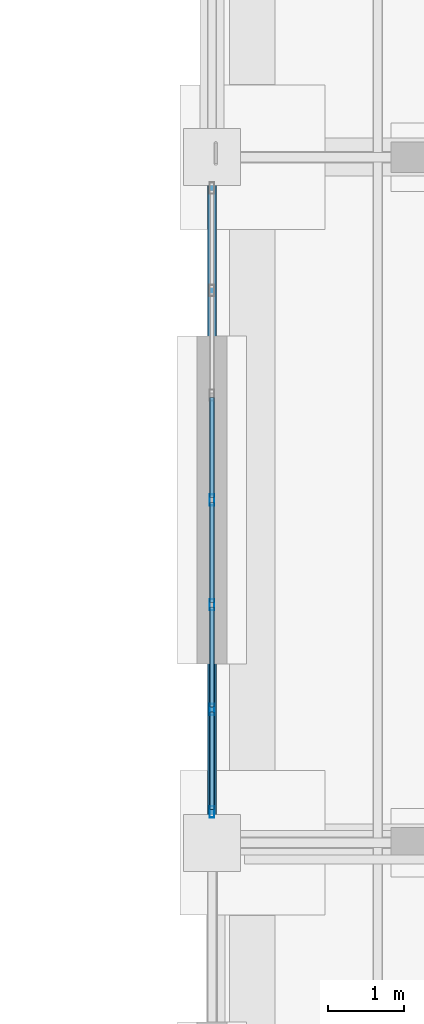
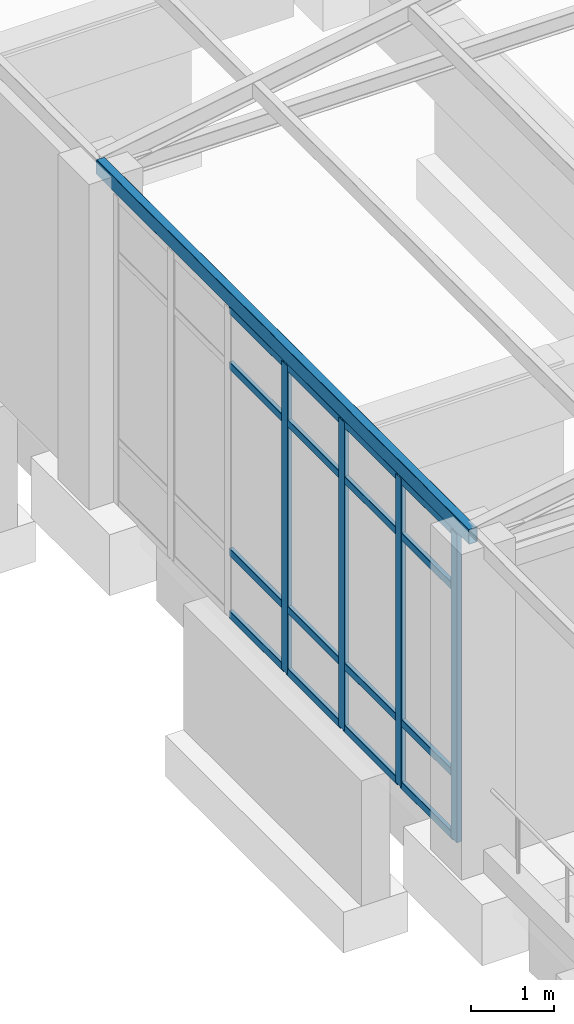
# One storey, part 62 of 111: 21 members, 1 element without a shape of its own.
"""IFC4 building model written with IfcOpenShell, lengths in metres."""

from ifc_helpers import new_model, si_unit, direction, frame, origin, origin_2d, place, context, subcontext, project, spatial, hollow_rectangle, extrude, material, material_profile, profile_set, type_object, element, aggregate, save


model = new_model("IFC4")

# Units and contexts
model_context = context("Model", 3, precision=1e-05, world=origin(), true_north=direction((0.0, 1.0)))
body_context = subcontext(model_context, "Body", "Model", "MODEL_VIEW")
ifc_project = project(units=[si_unit("LENGTHUNIT", "METRE"), si_unit("AREAUNIT", "SQUARE_METRE"), si_unit("VOLUMEUNIT", "CUBIC_METRE"), si_unit("PLANEANGLEUNIT", "RADIAN"), si_unit("MASSUNIT", "GRAM", prefix="KILO")], contexts=[model_context])

# Site, building, storey
site_placement = place(None, origin())
site = spatial("IfcSite", under=ifc_project, at=site_placement, CompositionType="ELEMENT")
building_placement = place(site_placement, origin())
building = spatial("IfcBuilding", under=site, at=building_placement, Name="Canglan Escarpment Cableway Terminal", CompositionType="ELEMENT")
storey_placement = place(building_placement, frame((0.0, 0.0, 4.800048828125)))
storey = spatial("IfcBuildingStorey", under=building, at=storey_placement, Name="L01", CompositionType="ELEMENT", Elevation=4.800048828125)

# Curtain wall, members
ifc_material_1 = material(Name="Anodized bronze aluminium and Low-E double glazing", Category="aluminium")
curtain_wall_type = type_object("IfcCurtainWallType", Name="CW-BAY-8250x4550", PredefinedType="NOTDEFINED", material=ifc_material_1)
curtain_wall_placement = place(storey_placement, origin())
curtain_wall = element("IfcCurtainWall", 1, at=curtain_wall_placement, inside=storey, type_object=curtain_wall_type, Name="Classical bay-between-piers glazed curtain wall CW-42", PredefinedType="NOTDEFINED")
ifc_material_2 = material(Name="Thermally broken anodized aluminium 6063-T6", Category="aluminium")
ifc_material_profile_1 = material_profile(ifc_material_2, hollow_rectangle(XDim=0.06494140625, YDim=0.14990234375, WallThickness=0.00341796875, InnerFilletRadius=0.00341796875, OuterFilletRadius=0.007080078125, at=origin_2d()), Name="ALU-MULL 65x150x3.5")
ifc_profile_set_1 = profile_set([ifc_material_profile_1], Name="Thermally broken anodized aluminium 6063-T6")
member_type_1 = type_object("IfcMemberType", Name="CWM-02", PredefinedType="MULLION", material=ifc_profile_set_1)
member_1_placement = place(storey_placement, frame((167.300048828125, 101.5, 0.0), z_axis=(0.0, 0.0, 1.0), x_axis=(1.0, 0.0, 0.0)))
member_1 = element("IfcMember", 2, at=member_1_placement, type_object=member_type_1, Name="CW-42 mullion 4", PredefinedType="MULLION", context=body_context, shape_type="SweptSolid", body=[
    extrude(hollow_rectangle(XDim=0.06494140625, YDim=0.14990234375, WallThickness=0.00341796875, InnerFilletRadius=0.00341796875, OuterFilletRadius=0.007080078125, at=origin_2d()), origin(), (0.0, 0.0, 1.0), 4.550048828125),
])
member_2_placement = place(storey_placement, frame((167.300048828125, 100.125, 0.0), z_axis=(0.0, 0.0, 1.0), x_axis=(1.0, 0.0, 0.0)))
member_2 = element("IfcMember", 3, at=member_2_placement, type_object=member_type_1, Name="CW-42 mullion 5", PredefinedType="MULLION", context=body_context, shape_type="SweptSolid", body=[
    extrude(hollow_rectangle(XDim=0.06494140625, YDim=0.14990234375, WallThickness=0.00341796875, InnerFilletRadius=0.00341796875, OuterFilletRadius=0.007080078125, at=origin_2d()), origin(), (0.0, 0.0, 1.0), 4.550048828125),
])
member_3_placement = place(storey_placement, frame((167.300048828125, 98.75, 0.0), z_axis=(0.0, 0.0, 1.0), x_axis=(1.0, 0.0, 0.0)))
member_3 = element("IfcMember", 4, at=member_3_placement, type_object=member_type_1, Name="CW-42 mullion 6", PredefinedType="MULLION", context=body_context, shape_type="SweptSolid", body=[
    extrude(hollow_rectangle(XDim=0.06494140625, YDim=0.14990234375, WallThickness=0.00341796875, InnerFilletRadius=0.00341796875, OuterFilletRadius=0.007080078125, at=origin_2d()), origin(), (0.0, 0.0, 1.0), 4.550048828125),
])
member_4_placement = place(storey_placement, frame((167.300048828125, 97.407470703125, 0.0), z_axis=(0.0, 0.0, 1.0), x_axis=(1.0, 0.0, 0.0)))
member_4 = element("IfcMember", 5, at=member_4_placement, type_object=member_type_1, Name="CW-42 mullion 7", PredefinedType="MULLION", context=body_context, shape_type="SweptSolid", body=[
    extrude(hollow_rectangle(XDim=0.06494140625, YDim=0.14990234375, WallThickness=0.00341796875, InnerFilletRadius=0.00341796875, OuterFilletRadius=0.007080078125, at=origin_2d()), origin(), (0.0, 0.0, 1.0), 4.550048828125),
])
ifc_material_profile_2 = material_profile(ifc_material_2, hollow_rectangle(XDim=0.06005859375, YDim=0.110107421875, WallThickness=0.0029296875, InnerFilletRadius=0.0029296875, OuterFilletRadius=0.006103515625, at=origin_2d()), Name="ALU-TRAN 60x110x3")
ifc_profile_set_2 = profile_set([ifc_material_profile_2], Name="Thermally broken anodized aluminium 6063-T6")
member_type_2 = type_object("IfcMemberType", Name="CWT-02", PredefinedType="USERDEFINED", material=ifc_profile_set_2)
member_5_placement = place(storey_placement, frame((167.300048828125, 102.842529296875, 0.030029296875), z_axis=(0.0, -1.0, 0.0), x_axis=(1.0, 0.0, 0.0)))
member_5 = element("IfcMember", 6, at=member_5_placement, type_object=member_type_2, Name="CW-42 transom 3.1", ObjectType="TRANSOM", PredefinedType="USERDEFINED", context=body_context, shape_type="SweptSolid", body=[
    extrude(hollow_rectangle(XDim=0.06005859375, YDim=0.110107421875, WallThickness=0.0029296875, InnerFilletRadius=0.0029296875, OuterFilletRadius=0.006103515625, at=origin_2d()), origin(), (0.0, 0.0, 1.0), 1.31005859375),
])
member_6_placement = place(storey_placement, frame((167.300048828125, 102.842529296875, 0.949951171875), z_axis=(0.0, -1.0, 0.0), x_axis=(1.0, 0.0, 0.0)))
member_6 = element("IfcMember", 7, at=member_6_placement, type_object=member_type_2, Name="CW-42 transom 3.2", ObjectType="TRANSOM", PredefinedType="USERDEFINED", context=body_context, shape_type="SweptSolid", body=[
    extrude(hollow_rectangle(XDim=0.06005859375, YDim=0.110107421875, WallThickness=0.0029296875, InnerFilletRadius=0.0029296875, OuterFilletRadius=0.006103515625, at=origin_2d()), origin(), (0.0, 0.0, 1.0), 1.31005859375),
])
member_7_placement = place(storey_placement, frame((167.300048828125, 102.842529296875, 3.699951171875), z_axis=(0.0, -1.0, 0.0), x_axis=(1.0, 0.0, 0.0)))
member_7 = element("IfcMember", 8, at=member_7_placement, type_object=member_type_2, Name="CW-42 transom 3.3", ObjectType="TRANSOM", PredefinedType="USERDEFINED", context=body_context, shape_type="SweptSolid", body=[
    extrude(hollow_rectangle(XDim=0.06005859375, YDim=0.110107421875, WallThickness=0.0029296875, InnerFilletRadius=0.0029296875, OuterFilletRadius=0.006103515625, at=origin_2d()), origin(), (0.0, 0.0, 1.0), 1.31005859375),
])
member_8_placement = place(storey_placement, frame((167.300048828125, 102.842529296875, 4.52001953125), z_axis=(0.0, -1.0, 0.0), x_axis=(1.0, 0.0, 0.0)))
member_8 = element("IfcMember", 9, at=member_8_placement, type_object=member_type_2, Name="CW-42 transom 3.4", ObjectType="TRANSOM", PredefinedType="USERDEFINED", context=body_context, shape_type="SweptSolid", body=[
    extrude(hollow_rectangle(XDim=0.06005859375, YDim=0.110107421875, WallThickness=0.0029296875, InnerFilletRadius=0.0029296875, OuterFilletRadius=0.006103515625, at=origin_2d()), origin(), (0.0, 0.0, 1.0), 1.31005859375),
])
member_9_placement = place(storey_placement, frame((167.300048828125, 101.467529296875, 0.030029296875), z_axis=(0.0, -1.0, 0.0), x_axis=(1.0, 0.0, 0.0)))
member_9 = element("IfcMember", 10, at=member_9_placement, type_object=member_type_2, Name="CW-42 transom 4.1", ObjectType="TRANSOM", PredefinedType="USERDEFINED", context=body_context, shape_type="SweptSolid", body=[
    extrude(hollow_rectangle(XDim=0.06005859375, YDim=0.110107421875, WallThickness=0.0029296875, InnerFilletRadius=0.0029296875, OuterFilletRadius=0.006103515625, at=origin_2d()), origin(), (0.0, 0.0, 1.0), 1.31005859375),
])
member_10_placement = place(storey_placement, frame((167.300048828125, 101.467529296875, 0.949951171875), z_axis=(0.0, -1.0, 0.0), x_axis=(1.0, 0.0, 0.0)))
member_10 = element("IfcMember", 11, at=member_10_placement, type_object=member_type_2, Name="CW-42 transom 4.2", ObjectType="TRANSOM", PredefinedType="USERDEFINED", context=body_context, shape_type="SweptSolid", body=[
    extrude(hollow_rectangle(XDim=0.06005859375, YDim=0.110107421875, WallThickness=0.0029296875, InnerFilletRadius=0.0029296875, OuterFilletRadius=0.006103515625, at=origin_2d()), origin(), (0.0, 0.0, 1.0), 1.31005859375),
])
member_11_placement = place(storey_placement, frame((167.300048828125, 101.467529296875, 3.699951171875), z_axis=(0.0, -1.0, 0.0), x_axis=(1.0, 0.0, 0.0)))
member_11 = element("IfcMember", 12, at=member_11_placement, type_object=member_type_2, Name="CW-42 transom 4.3", ObjectType="TRANSOM", PredefinedType="USERDEFINED", context=body_context, shape_type="SweptSolid", body=[
    extrude(hollow_rectangle(XDim=0.06005859375, YDim=0.110107421875, WallThickness=0.0029296875, InnerFilletRadius=0.0029296875, OuterFilletRadius=0.006103515625, at=origin_2d()), origin(), (0.0, 0.0, 1.0), 1.31005859375),
])
member_12_placement = place(storey_placement, frame((167.300048828125, 101.467529296875, 4.52001953125), z_axis=(0.0, -1.0, 0.0), x_axis=(1.0, 0.0, 0.0)))
member_12 = element("IfcMember", 13, at=member_12_placement, type_object=member_type_2, Name="CW-42 transom 4.4", ObjectType="TRANSOM", PredefinedType="USERDEFINED", context=body_context, shape_type="SweptSolid", body=[
    extrude(hollow_rectangle(XDim=0.06005859375, YDim=0.110107421875, WallThickness=0.0029296875, InnerFilletRadius=0.0029296875, OuterFilletRadius=0.006103515625, at=origin_2d()), origin(), (0.0, 0.0, 1.0), 1.31005859375),
])
member_13_placement = place(storey_placement, frame((167.300048828125, 100.092529296875, 0.030029296875), z_axis=(0.0, -1.0, 0.0), x_axis=(1.0, 0.0, 0.0)))
member_13 = element("IfcMember", 14, at=member_13_placement, type_object=member_type_2, Name="CW-42 transom 5.1", ObjectType="TRANSOM", PredefinedType="USERDEFINED", context=body_context, shape_type="SweptSolid", body=[
    extrude(hollow_rectangle(XDim=0.06005859375, YDim=0.110107421875, WallThickness=0.0029296875, InnerFilletRadius=0.0029296875, OuterFilletRadius=0.006103515625, at=origin_2d()), origin(), (0.0, 0.0, 1.0), 1.31005859375),
])
member_14_placement = place(storey_placement, frame((167.300048828125, 100.092529296875, 0.949951171875), z_axis=(0.0, -1.0, 0.0), x_axis=(1.0, 0.0, 0.0)))
member_14 = element("IfcMember", 15, at=member_14_placement, type_object=member_type_2, Name="CW-42 transom 5.2", ObjectType="TRANSOM", PredefinedType="USERDEFINED", context=body_context, shape_type="SweptSolid", body=[
    extrude(hollow_rectangle(XDim=0.06005859375, YDim=0.110107421875, WallThickness=0.0029296875, InnerFilletRadius=0.0029296875, OuterFilletRadius=0.006103515625, at=origin_2d()), origin(), (0.0, 0.0, 1.0), 1.31005859375),
])
member_15_placement = place(storey_placement, frame((167.300048828125, 100.092529296875, 3.699951171875), z_axis=(0.0, -1.0, 0.0), x_axis=(1.0, 0.0, 0.0)))
member_15 = element("IfcMember", 16, at=member_15_placement, type_object=member_type_2, Name="CW-42 transom 5.3", ObjectType="TRANSOM", PredefinedType="USERDEFINED", context=body_context, shape_type="SweptSolid", body=[
    extrude(hollow_rectangle(XDim=0.06005859375, YDim=0.110107421875, WallThickness=0.0029296875, InnerFilletRadius=0.0029296875, OuterFilletRadius=0.006103515625, at=origin_2d()), origin(), (0.0, 0.0, 1.0), 1.31005859375),
])
member_16_placement = place(storey_placement, frame((167.300048828125, 100.092529296875, 4.52001953125), z_axis=(0.0, -1.0, 0.0), x_axis=(1.0, 0.0, 0.0)))
member_16 = element("IfcMember", 17, at=member_16_placement, type_object=member_type_2, Name="CW-42 transom 5.4", ObjectType="TRANSOM", PredefinedType="USERDEFINED", context=body_context, shape_type="SweptSolid", body=[
    extrude(hollow_rectangle(XDim=0.06005859375, YDim=0.110107421875, WallThickness=0.0029296875, InnerFilletRadius=0.0029296875, OuterFilletRadius=0.006103515625, at=origin_2d()), origin(), (0.0, 0.0, 1.0), 1.31005859375),
])
member_17_placement = place(storey_placement, frame((167.300048828125, 98.717529296875, 0.030029296875), z_axis=(0.0, -1.0, 0.0), x_axis=(1.0, 0.0, 0.0)))
member_17 = element("IfcMember", 18, at=member_17_placement, type_object=member_type_2, Name="CW-42 transom 6.1", ObjectType="TRANSOM", PredefinedType="USERDEFINED", context=body_context, shape_type="SweptSolid", body=[
    extrude(hollow_rectangle(XDim=0.06005859375, YDim=0.110107421875, WallThickness=0.0029296875, InnerFilletRadius=0.0029296875, OuterFilletRadius=0.006103515625, at=origin_2d()), origin(), (0.0, 0.0, 1.0), 1.277587890625),
])
member_18_placement = place(storey_placement, frame((167.300048828125, 98.717529296875, 0.949951171875), z_axis=(0.0, -1.0, 0.0), x_axis=(1.0, 0.0, 0.0)))
member_18 = element("IfcMember", 19, at=member_18_placement, type_object=member_type_2, Name="CW-42 transom 6.2", ObjectType="TRANSOM", PredefinedType="USERDEFINED", context=body_context, shape_type="SweptSolid", body=[
    extrude(hollow_rectangle(XDim=0.06005859375, YDim=0.110107421875, WallThickness=0.0029296875, InnerFilletRadius=0.0029296875, OuterFilletRadius=0.006103515625, at=origin_2d()), origin(), (0.0, 0.0, 1.0), 1.277587890625),
])
member_19_placement = place(storey_placement, frame((167.300048828125, 98.717529296875, 3.699951171875), z_axis=(0.0, -1.0, 0.0), x_axis=(1.0, 0.0, 0.0)))
member_19 = element("IfcMember", 20, at=member_19_placement, type_object=member_type_2, Name="CW-42 transom 6.3", ObjectType="TRANSOM", PredefinedType="USERDEFINED", context=body_context, shape_type="SweptSolid", body=[
    extrude(hollow_rectangle(XDim=0.06005859375, YDim=0.110107421875, WallThickness=0.0029296875, InnerFilletRadius=0.0029296875, OuterFilletRadius=0.006103515625, at=origin_2d()), origin(), (0.0, 0.0, 1.0), 1.277587890625),
])
member_20_placement = place(storey_placement, frame((167.300048828125, 98.717529296875, 4.52001953125), z_axis=(0.0, -1.0, 0.0), x_axis=(1.0, 0.0, 0.0)))
member_20 = element("IfcMember", 21, at=member_20_placement, type_object=member_type_2, Name="CW-42 transom 6.4", ObjectType="TRANSOM", PredefinedType="USERDEFINED", context=body_context, shape_type="SweptSolid", body=[
    extrude(hollow_rectangle(XDim=0.06005859375, YDim=0.110107421875, WallThickness=0.0029296875, InnerFilletRadius=0.0029296875, OuterFilletRadius=0.006103515625, at=origin_2d()), origin(), (0.0, 0.0, 1.0), 1.277587890625),
])
aggregate(curtain_wall, [member_1, member_2, member_3, member_4, member_5, member_6, member_7, member_8, member_9, member_10, member_11, member_12, member_13, member_14, member_15, member_16, member_17, member_18, member_19, member_20])

# Member
ifc_material_3 = material(Name="Steel Q355B", Category="steel")
ifc_material_profile_3 = material_profile(ifc_material_3, hollow_rectangle(XDim=0.1201171875, YDim=0.219970703125, WallThickness=0.006103515625, InnerFilletRadius=0.006103515625, OuterFilletRadius=0.011962890625, at=origin_2d()), Name="RHS 220x120x6")
ifc_profile_set_3 = profile_set([ifc_material_profile_3], Name="Steel Q355B")
member_type_3 = type_object("IfcMemberType", Name="MB-PAV-PUR-RHS220", PredefinedType="PURLIN", material=ifc_profile_set_3)
member_21_placement = place(storey_placement, frame((167.300048828125, 97.0, 4.719970703125), z_axis=(0.0, 1.0, 0.0), x_axis=(-1.0, 0.0, 0.0)))
element("IfcMember", 22, at=member_21_placement, inside=storey, type_object=member_type_3, Name="Colonnade canopy purlin PR-03", PredefinedType="PURLIN", context=body_context, shape_type="SweptSolid", body=[
    extrude(hollow_rectangle(XDim=0.1201171875, YDim=0.219970703125, WallThickness=0.006103515625, InnerFilletRadius=0.006103515625, OuterFilletRadius=0.011962890625, at=origin_2d()), origin(), (0.0, 0.0, 1.0), 9.0),
])

save(model, "model.ifc")
